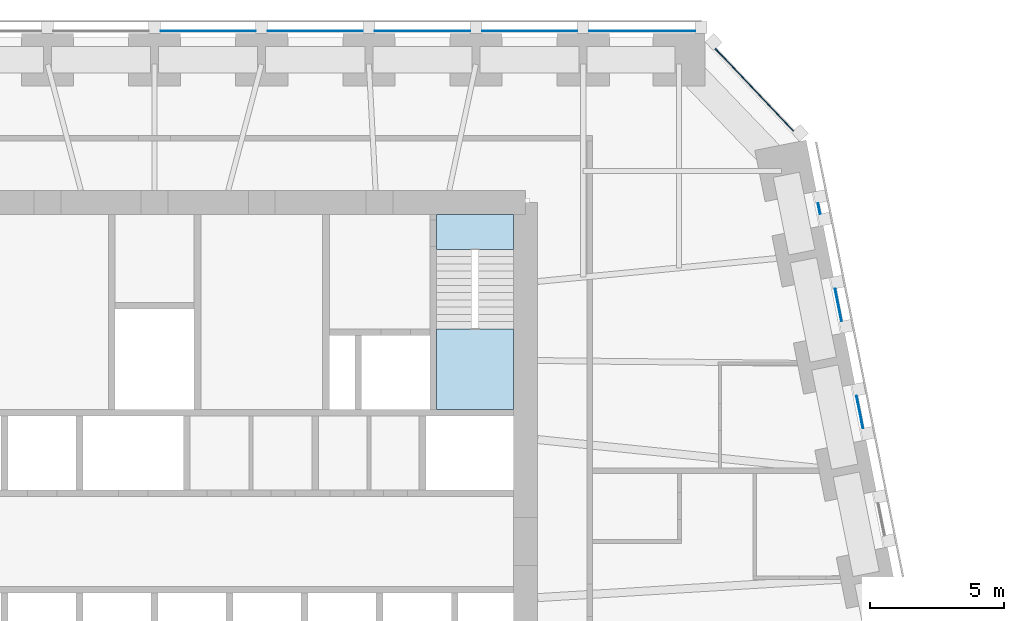
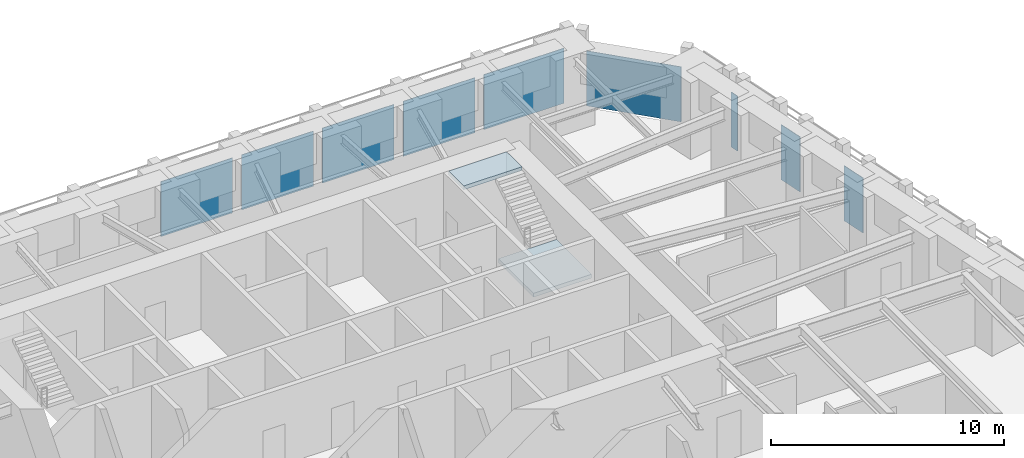
# One storey, part 11 of 16: 9 plates, 2 slabs, 6 elements without a shape of their own.
"""IFC4 building model written with IfcOpenShell, lengths in metres."""

from ifc_helpers import new_model, si_unit, direction, frame, origin, origin_2d, place, context, subcontext, project, spatial, polyline, rectangle, outline, extrude, material, layer, layer_set, type_object, element, aggregate, save


model = new_model("IFC4")

# Units and contexts
model_context = context("Model", 3, precision=1e-05, world=origin(), true_north=direction((0.0, 1.0)))
body_context = subcontext(model_context, "Body", "Model", "MODEL_VIEW")
ifc_project = project(units=[si_unit("LENGTHUNIT", "METRE"), si_unit("AREAUNIT", "SQUARE_METRE"), si_unit("VOLUMEUNIT", "CUBIC_METRE"), si_unit("PLANEANGLEUNIT", "RADIAN"), si_unit("MASSUNIT", "GRAM", prefix="KILO")], contexts=[model_context])

# Site, building, storey
site_placement = place(None, origin())
site = spatial("IfcSite", under=ifc_project, at=site_placement, CompositionType="ELEMENT")
building_placement = place(site_placement, origin())
building = spatial("IfcBuilding", under=site, at=building_placement, Name="Isbrekke Arena Tower", CompositionType="ELEMENT")
storey_placement = place(building_placement, frame((0.0, 0.0, 44.0)))
storey = spatial("IfcBuildingStorey", under=building, at=storey_placement, Name="L08", CompositionType="ELEMENT", Elevation=44.0)

# Curtain wall, plate
ifc_material_1 = material(Name="Glazed aluminium curtain wall", Category="aluminium")
curtain_wall_type = type_object("IfcCurtainWallType", Name="CWL TOWER CURTAIN WALL LOW ZONE", PredefinedType="USERDEFINED", material=ifc_material_1)
curtain_wall_1_placement = place(storey_placement, origin())
curtain_wall_1 = element("IfcCurtainWall", 1, at=curtain_wall_1_placement, inside=storey, type_object=curtain_wall_type, Name="CWL curtain wall L08-E15", ObjectType="TOWER CURTAIN WALL LOW ZONE", PredefinedType="USERDEFINED")
ifc_material_2 = material(Name="Triple-glazed clear glass unit", Category="glass")
ifc_layer_1 = layer(ifc_material_2, 0.031982421875)
ifc_layer_set_1 = layer_set([ifc_layer_1], Name="CWL-P VISION PANEL")
plate_type = type_object("IfcPlateType", Name="CWL-P VISION PANEL", PredefinedType="CURTAIN_PANEL", material=ifc_layer_set_1)
plate_1_placement = place(storey_placement, frame((26.322509765625, 16.0244140625, 0.02001953125), z_axis=(0.0, 0.0, 1.0), x_axis=(-0.196116135138, 0.980580675691, 0.0)))
plate_1 = element("IfcPlate", 2, at=plate_1_placement, type_object=plate_type, Name="CWL-P panel 1", PredefinedType="CURTAIN_PANEL", context=body_context, shape_type="SweptSolid", body=[
    extrude(rectangle(XDim=1.229248046875, YDim=0.031982421875, at=origin_2d()), origin(), (0.0, 0.0, 1.0), 2.8798828125),
])
aggregate(curtain_wall_1, [plate_1])

curtain_wall_2_placement = place(storey_placement, origin())
curtain_wall_2 = element("IfcCurtainWall", 3, at=curtain_wall_2_placement, inside=storey, type_object=curtain_wall_type, Name="CWL curtain wall L08-E17", ObjectType="TOWER CURTAIN WALL LOW ZONE", PredefinedType="USERDEFINED")
plate_2_placement = place(storey_placement, frame((25.5224609375, 20.0244140625, 0.02001953125), z_axis=(0.0, 0.0, 1.0), x_axis=(-0.196116135138, 0.980580675691, 0.0)))
plate_2 = element("IfcPlate", 4, at=plate_2_placement, type_object=plate_type, Name="CWL-P panel 1", PredefinedType="CURTAIN_PANEL", context=body_context, shape_type="SweptSolid", body=[
    extrude(rectangle(XDim=1.229248046875, YDim=0.031982421875, at=origin_2d()), origin(), (0.0, 0.0, 1.0), 2.8798828125),
])
aggregate(curtain_wall_2, [plate_2])

curtain_wall_3_placement = place(storey_placement, origin())
curtain_wall_3 = element("IfcCurtainWall", 5, at=curtain_wall_3_placement, inside=storey, type_object=curtain_wall_type, Name="CWL curtain wall L08-E19", ObjectType="TOWER CURTAIN WALL LOW ZONE", PredefinedType="USERDEFINED")
plate_3_placement = place(storey_placement, frame((24.80322265625, 23.62109375, 0.02001953125), z_axis=(0.0, 0.0, 1.0), x_axis=(-0.196116135138, 0.980580675691, 0.0)))
plate_3 = element("IfcPlate", 6, at=plate_3_placement, type_object=plate_type, Name="CWL-P panel 1", PredefinedType="CURTAIN_PANEL", context=body_context, shape_type="SweptSolid", body=[
    extrude(rectangle(XDim=0.40625, YDim=0.031982421875, at=origin_2d()), origin(), (0.0, 0.0, 1.0), 2.8798828125),
])
aggregate(curtain_wall_3, [plate_3])

curtain_wall_4_placement = place(storey_placement, origin())
curtain_wall_4 = element("IfcCurtainWall", 7, at=curtain_wall_4_placement, inside=storey, type_object=curtain_wall_type, Name="CWL curtain wall L08-EN", ObjectType="TOWER CURTAIN WALL LOW ZONE", PredefinedType="USERDEFINED")
plate_4_placement = place(storey_placement, frame((22.386474609375, 28.05419921875, 0.02001953125), z_axis=(0.0, 0.0, 1.0), x_axis=(-0.68874946192, 0.72499943359, 0.0)))
plate_4 = element("IfcPlate", 8, at=plate_4_placement, type_object=plate_type, Name="CWL-P panel 1", PredefinedType="CURTAIN_PANEL", context=body_context, shape_type="SweptSolid", body=[
    extrude(rectangle(XDim=4.22900390625, YDim=0.031982421875, at=origin_2d()), origin(), (0.0, 0.0, 1.0), 2.8798828125),
])
aggregate(curtain_wall_4, [plate_4])

# Curtain wall, plates
curtain_wall_5_placement = place(storey_placement, origin())
curtain_wall_5 = element("IfcCurtainWall", 9, at=curtain_wall_5_placement, inside=storey, type_object=curtain_wall_type, Name="CWL curtain wall L08-N", ObjectType="TOWER CURTAIN WALL LOW ZONE", PredefinedType="USERDEFINED")
plate_5_placement = place(storey_placement, frame((18.199951171875, 30.25, 0.02001953125), z_axis=(0.0, 0.0, 1.0), x_axis=(-1.0, 0.0, 0.0)))
plate_5 = element("IfcPlate", 10, at=plate_5_placement, type_object=plate_type, Name="CWL-P panel 1", PredefinedType="CURTAIN_PANEL", context=body_context, shape_type="SweptSolid", body=[
    extrude(rectangle(XDim=3.949951171875, YDim=0.031982421875, at=origin_2d()), origin(), (0.0, 0.0, 1.0), 2.8798828125),
])
plate_6_placement = place(storey_placement, frame((14.0, 30.25, 0.02001953125), z_axis=(0.0, 0.0, 1.0), x_axis=(-1.0, 0.0, 0.0)))
plate_6 = element("IfcPlate", 11, at=plate_6_placement, type_object=plate_type, Name="CWL-P panel 2", PredefinedType="CURTAIN_PANEL", context=body_context, shape_type="SweptSolid", body=[
    extrude(rectangle(XDim=3.550048828125, YDim=0.031982421875, at=origin_2d()), origin(), (0.0, 0.0, 1.0), 2.8798828125),
])
plate_7_placement = place(storey_placement, frame((10.0, 30.25, 0.02001953125), z_axis=(0.0, 0.0, 1.0), x_axis=(-1.0, 0.0, 0.0)))
plate_7 = element("IfcPlate", 12, at=plate_7_placement, type_object=plate_type, Name="CWL-P panel 3", PredefinedType="CURTAIN_PANEL", context=body_context, shape_type="SweptSolid", body=[
    extrude(rectangle(XDim=3.550048828125, YDim=0.031982421875, at=origin_2d()), origin(), (0.0, 0.0, 1.0), 2.8798828125),
])
plate_8_placement = place(storey_placement, frame((6.0, 30.25, 0.02001953125), z_axis=(0.0, 0.0, 1.0), x_axis=(-1.0, 0.0, 0.0)))
plate_8 = element("IfcPlate", 13, at=plate_8_placement, type_object=plate_type, Name="CWL-P panel 4", PredefinedType="CURTAIN_PANEL", context=body_context, shape_type="SweptSolid", body=[
    extrude(rectangle(XDim=3.550048828125, YDim=0.031982421875, at=origin_2d()), origin(), (0.0, 0.0, 1.0), 2.8798828125),
])
plate_9_placement = place(storey_placement, frame((2.0, 30.25, 0.02001953125), z_axis=(0.0, 0.0, 1.0), x_axis=(-1.0, 0.0, 0.0)))
plate_9 = element("IfcPlate", 14, at=plate_9_placement, type_object=plate_type, Name="CWL-P panel 5", PredefinedType="CURTAIN_PANEL", context=body_context, shape_type="SweptSolid", body=[
    extrude(rectangle(XDim=3.550048828125, YDim=0.031982421875, at=origin_2d()), origin(), (0.0, 0.0, 1.0), 2.8798828125),
])
aggregate(curtain_wall_5, [plate_5, plate_6, plate_7, plate_8, plate_9])

# Stair, slabs
ifc_material_3 = material(Name="Concrete B45 (C45/55) precast", Category="concrete")
stair_type = type_object("IfcStairType", Name="ST40 STAIR 1300 WIDE, 24 RISERS 167", PredefinedType="HALF_TURN_STAIR", material=ifc_material_3)
stair_placement = place(storey_placement, origin())
stair = element("IfcStair", 15, at=stair_placement, inside=storey, type_object=stair_type, Name="ST2 stair L08", PredefinedType="HALF_TURN_STAIR")
ifc_material_4 = material(Name="Concrete B35 (C35/45)", Category="concrete")
ifc_layer_2 = layer(ifc_material_4, 0.199951171875)
ifc_layer_set_2 = layer_set([ifc_layer_2], Name="SL1 STAIR LANDING 200")
slab_type = type_object("IfcSlabType", Name="SL1 STAIR LANDING 200", PredefinedType="LANDING", material=ifc_layer_set_2)
slab_1_placement = place(storey_placement, frame((0.0, 0.0, 1.800048828125)))
slab_1 = element("IfcSlab", 16, at=slab_1_placement, type_object=slab_type, Name="ST2 landing 1", PredefinedType="LANDING", context=body_context, shape_type="SweptSolid", body=[
    extrude(outline(polyline([(10.52490234375, 16.125), (13.39990234375, 16.125), (13.39990234375, 19.1298828125), (10.52490234375, 19.1298828125), (10.52490234375, 16.125)])), origin(), (0.0, 0.0, 1.0), 0.199951171875),
])
slab_2_placement = place(storey_placement, frame((0.0, 0.0, 3.800048828125)))
slab_2 = element("IfcSlab", 17, at=slab_2_placement, type_object=slab_type, Name="ST2 landing 2", PredefinedType="LANDING", context=body_context, shape_type="SweptSolid", body=[
    extrude(outline(polyline([(10.52490234375, 22.10009765625), (13.39990234375, 22.10009765625), (13.39990234375, 23.39990234375), (10.52490234375, 23.39990234375), (10.52490234375, 22.10009765625)])), origin(), (0.0, 0.0, 1.0), 0.199951171875),
])
aggregate(stair, [slab_1, slab_2])

save(model, "model.ifc")
